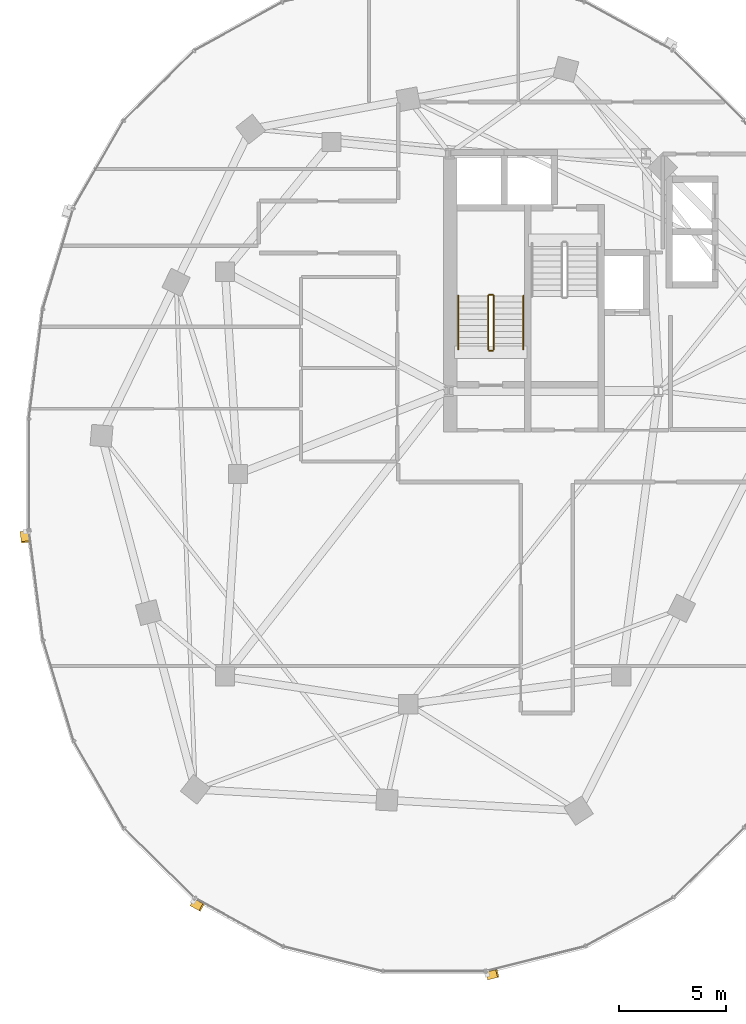
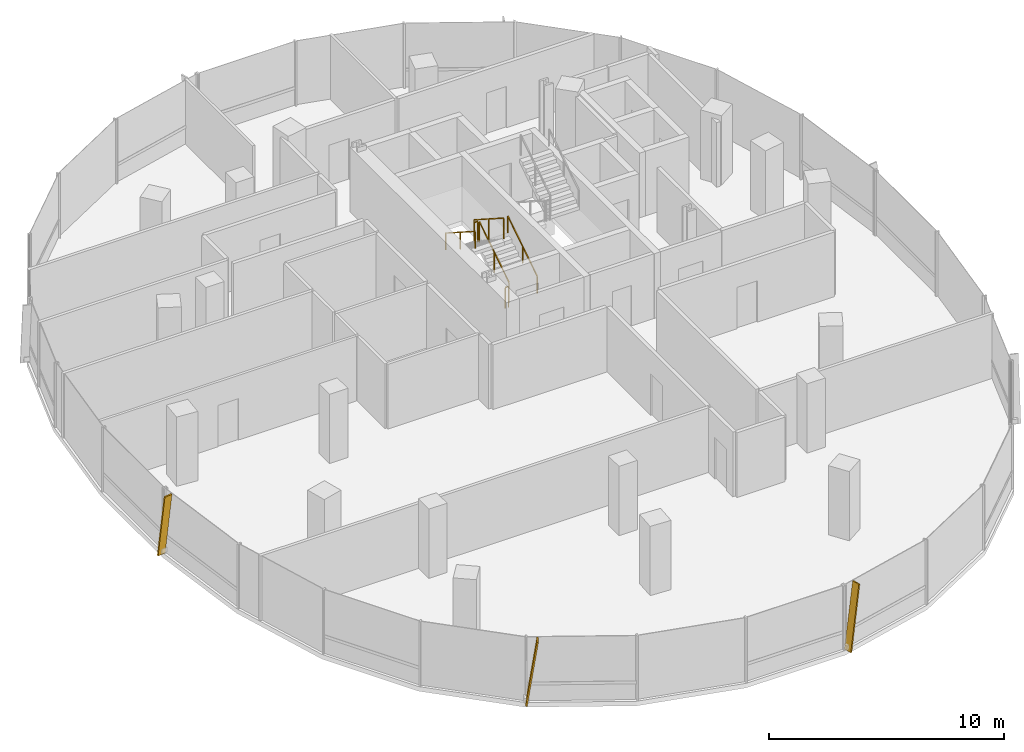
# One storey, part 18 of 22: 6 railings, 3 shading devices.
"""IFC4 building model written with IfcOpenShell, lengths in metres."""

from ifc_helpers import new_model, si_unit, direction, frame, origin, origin_2d, place, context, subcontext, project, spatial, rectangle, extrude, material, material_profile, profile_set, type_object, element, save


model = new_model("IFC4")

# Units and contexts
model_context = context("Model", 3, precision=1e-05, world=origin(), true_north=direction((0.0, 1.0)))
body_context = subcontext(model_context, "Body", "Model", "MODEL_VIEW")
ifc_project = project(units=[si_unit("LENGTHUNIT", "METRE"), si_unit("AREAUNIT", "SQUARE_METRE"), si_unit("VOLUMEUNIT", "CUBIC_METRE"), si_unit("PLANEANGLEUNIT", "RADIAN"), si_unit("MASSUNIT", "GRAM", prefix="KILO"), si_unit("THERMODYNAMICTEMPERATUREUNIT", "KELVIN"), si_unit("POWERUNIT", "WATT")], contexts=[model_context])

# Site, building, storey
site_placement = place(None, origin())
site = spatial("IfcSite", under=ifc_project, at=site_placement, CompositionType="ELEMENT")
building_placement = place(site_placement, origin())
building = spatial("IfcBuilding", under=site, at=building_placement, Name="Cundina Bronze Exchange", CompositionType="ELEMENT")
storey_placement = place(building_placement, frame((0.0, 0.0, 151.199951171875)))
storey = spatial("IfcBuildingStorey", under=building, at=storey_placement, Name="L39", CompositionType="ELEMENT", Elevation=151.199951171875)

# Railings
ifc_material_1 = material(Name="Steel ASTM A36 Painted", Category="steel")
railing_type_1 = type_object("IfcRailingType", Name="RLG-HND-900", PredefinedType="HANDRAIL", material=ifc_material_1)
railing_1_placement = place(storey_placement, frame((-27.7900390625, 5.85009765625, 0.179931640625)))
element("IfcRailing", 1, at=railing_1_placement, inside=storey, type_object=railing_type_1, Name="L39 ST-W1 stair handrail 1", PredefinedType="HANDRAIL", context=body_context, shape_type="SweptSolid", body=[
    extrude(rectangle(XDim=0.048095703125, YDim=0.048095703125, at=origin_2d()), frame((0.0, 0.0, 0.8759765625), z_axis=(0.0, 0.841162588446, 0.540782303519), x_axis=(-1.0, 0.0, 0.0)), (0.0, 0.0, 1.0), 2.995849609375),
    extrude(rectangle(XDim=0.0419921875, YDim=0.0419921875, at=origin_2d()), origin(), (0.0, 0.0, 1.0), 0.851806640625),
    extrude(rectangle(XDim=0.0419921875, YDim=0.0419921875, at=origin_2d()), frame((0.0, 1.260009765625, 0.81005859375)), (0.0, 0.0, 1.0), 0.851806640625),
    extrude(rectangle(XDim=0.0419921875, YDim=0.0419921875, at=origin_2d()), frame((0.0, 2.52001953125, 1.6201171875)), (0.0, 0.0, 1.0), 0.851806640625),
])
railing_2_placement = place(storey_placement, frame((-30.85009765625, 8.3701171875, 1.97998046875)))
element("IfcRailing", 2, at=railing_2_placement, inside=storey, type_object=railing_type_1, Name="L39 ST-W1 stair handrail 2", PredefinedType="HANDRAIL", context=body_context, shape_type="SweptSolid", body=[
    extrude(rectangle(XDim=0.048095703125, YDim=0.048095703125, at=origin_2d()), frame((0.0, 0.0, 0.8759765625), z_axis=(0.0, -0.841162588446, 0.540782303519), x_axis=(1.0, 0.0, 0.0)), (0.0, 0.0, 1.0), 2.995849609375),
    extrude(rectangle(XDim=0.0419921875, YDim=0.0419921875, at=origin_2d()), origin(), (0.0, 0.0, 1.0), 0.851806640625),
    extrude(rectangle(XDim=0.0419921875, YDim=0.0419921875, at=origin_2d()), frame((0.0, -1.260009765625, 0.81005859375)), (0.0, 0.0, 1.0), 0.851806640625),
    extrude(rectangle(XDim=0.0419921875, YDim=0.0419921875, at=origin_2d()), frame((0.0, -2.52001953125, 1.6201171875)), (0.0, 0.0, 1.0), 0.851806640625),
])
railing_type_2 = type_object("IfcRailingType", Name="RLG-STG-1100", PredefinedType="GUARDRAIL", material=ifc_material_1)
railing_3_placement = place(storey_placement, frame((-29.18994140625, 5.85009765625, 0.179931640625)))
element("IfcRailing", 3, at=railing_3_placement, inside=storey, type_object=railing_type_2, Name="L39 ST-W1 stair guard 1", PredefinedType="GUARDRAIL", context=body_context, shape_type="SweptSolid", body=[
    extrude(rectangle(XDim=0.048095703125, YDim=0.048095703125, at=origin_2d()), frame((0.0, 0.0, 1.076171875), z_axis=(0.0, 0.841162588446, 0.540782303519), x_axis=(-1.0, 0.0, 0.0)), (0.0, 0.0, 1.0), 2.995849609375),
    extrude(rectangle(XDim=0.0419921875, YDim=0.0419921875, at=origin_2d()), origin(), (0.0, 0.0, 1.0), 1.052001953125),
    extrude(rectangle(XDim=0.0419921875, YDim=0.0419921875, at=origin_2d()), frame((0.0, 1.260009765625, 0.81005859375)), (0.0, 0.0, 1.0), 1.052001953125),
    extrude(rectangle(XDim=0.0419921875, YDim=0.0419921875, at=origin_2d()), frame((0.0, 2.52001953125, 1.6201171875)), (0.0, 0.0, 1.0), 1.052001953125),
])
railing_4_placement = place(storey_placement, frame((-29.239990234375, 8.419921875, 1.800048828125)))
element("IfcRailing", 4, at=railing_4_placement, inside=storey, type_object=railing_type_2, Name="L39 ST-W1 stair guard 2", PredefinedType="GUARDRAIL", context=body_context, shape_type="SweptSolid", body=[
    extrude(rectangle(XDim=0.048095703125, YDim=0.048095703125, at=origin_2d()), frame((0.0, 0.0, 1.076171875), z_axis=(-1.0, 0.0, 0.0), x_axis=(0.0, -1.0, 0.0)), (0.0, 0.0, 1.0), 0.159912109375),
    extrude(rectangle(XDim=0.0419921875, YDim=0.0419921875, at=origin_2d()), origin(), (0.0, 0.0, 1.0), 1.052001953125),
    extrude(rectangle(XDim=0.0419921875, YDim=0.0419921875, at=origin_2d()), frame((-0.159912109375, 0.0, 0.0)), (0.0, 0.0, 1.0), 1.052001953125),
])
railing_5_placement = place(storey_placement, frame((-29.449951171875, 8.3701171875, 1.97998046875)))
element("IfcRailing", 5, at=railing_5_placement, inside=storey, type_object=railing_type_2, Name="L39 ST-W1 stair guard 3", PredefinedType="GUARDRAIL", context=body_context, shape_type="SweptSolid", body=[
    extrude(rectangle(XDim=0.048095703125, YDim=0.048095703125, at=origin_2d()), frame((0.0, 0.0, 1.076171875), z_axis=(0.0, -0.841162588446, 0.540782303519), x_axis=(1.0, 0.0, 0.0)), (0.0, 0.0, 1.0), 2.995849609375),
    extrude(rectangle(XDim=0.0419921875, YDim=0.0419921875, at=origin_2d()), origin(), (0.0, 0.0, 1.0), 1.052001953125),
    extrude(rectangle(XDim=0.0419921875, YDim=0.0419921875, at=origin_2d()), frame((0.0, -1.260009765625, 0.81005859375)), (0.0, 0.0, 1.0), 1.052001953125),
    extrude(rectangle(XDim=0.0419921875, YDim=0.0419921875, at=origin_2d()), frame((0.0, -2.52001953125, 1.6201171875)), (0.0, 0.0, 1.0), 1.052001953125),
])
railing_6_placement = place(storey_placement, frame((-29.239990234375, 5.800048828125, 0.0)))
element("IfcRailing", 6, at=railing_6_placement, inside=storey, type_object=railing_type_2, Name="L39 ST-W1 stair guard 4", PredefinedType="GUARDRAIL", context=body_context, shape_type="SweptSolid", body=[
    extrude(rectangle(XDim=0.048095703125, YDim=0.048095703125, at=origin_2d()), frame((0.0, 0.0, 1.076171875), z_axis=(-1.0, 0.0, 0.0), x_axis=(0.0, -1.0, 0.0)), (0.0, 0.0, 1.0), 0.159912109375),
    extrude(rectangle(XDim=0.0419921875, YDim=0.0419921875, at=origin_2d()), origin(), (0.0, 0.0, 1.0), 1.052001953125),
    extrude(rectangle(XDim=0.0419921875, YDim=0.0419921875, at=origin_2d()), frame((-0.159912109375, 0.0, 0.0)), (0.0, 0.0, 1.0), 1.052001953125),
])

# Shading devices
ifc_material_2 = material(Name="Anodised Bronze Aluminium 6063-T6", Category="aluminium")
ifc_material_profile = material_profile(ifc_material_2, rectangle(XDim=0.070068359375, YDim=0.3798828125, at=origin_2d()), Name="FIN70X380", Category="aluminium")
ifc_profile_set = profile_set([ifc_material_profile], Name="Anodised Bronze Aluminium 6063-T6")
shading_device_type = type_object("IfcShadingDeviceType", Name="SHD-FIN-BRZ380", PredefinedType="USERDEFINED", material=ifc_profile_set)
for number, where, z_axis, x_axis, name in (
    (7, (-51.23486328125, -2.705810546875, 0.02001953125), (0.018121805099, -0.141917750773, 0.989712560391), (-0.125360789044, 0.981741119016, 0.143070080046), "L39 Diagonal Bronze Solar Fin 1"),
    (8, (-43.320068359375, -20.11181640625, 0.02001953125), (0.125324460949, -0.068993954111, 0.989713905017), (-0.867011652888, 0.477309551067, 0.143060778049), "L39 Diagonal Bronze Solar Fin 5"),
    (9, (-29.48046875, -23.556396484375, 0.02001953125), (0.138788401144, 0.034715294885, 0.989713407007), (-0.960133415413, -0.240159223467, 0.14306422331), "L39 Diagonal Bronze Solar Fin 1"),
):
    element("IfcShadingDevice", number, at=place(storey_placement, frame(where, z_axis=z_axis, x_axis=x_axis)), inside=storey, type_object=shading_device_type, Name=name, ObjectType="FIN", PredefinedType="USERDEFINED", context=body_context, shape_type="SweptSolid", body=[
        extrude(rectangle(XDim=0.070068359375, YDim=0.3798828125, at=origin_2d()), origin(), (0.0, 0.0, 1.0), 3.3544921875),
    ])

save(model, "model.ifc")
